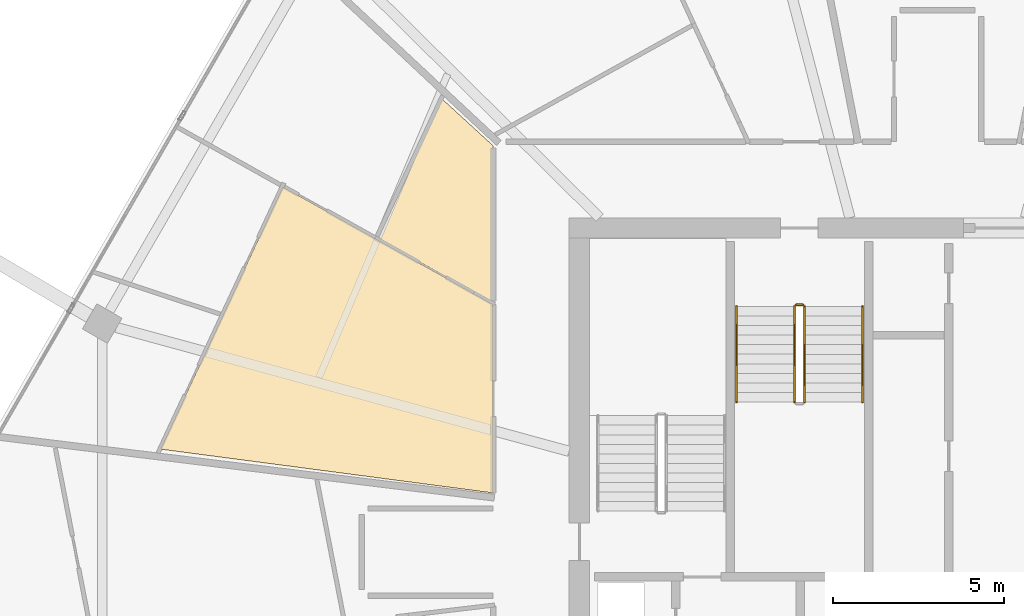
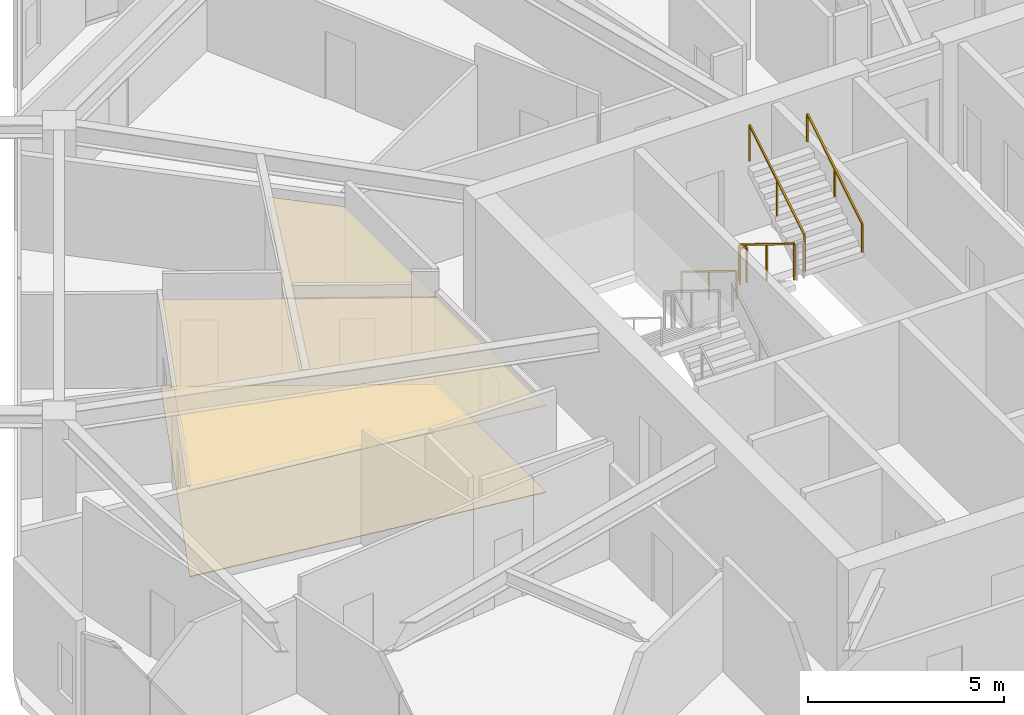
# One storey, part 26 of 27: 5 railings, 3 coverings.
"""IFC4 building model written with IfcOpenShell, lengths in metres."""

from ifc_helpers import new_model, si_unit, direction, frame, origin, origin_2d, place, context, subcontext, project, spatial, polyline, rectangle, outline, extrude, material, layer, layer_set, type_object, element, save


model = new_model("IFC4")

# Units and contexts
model_context = context("Model", 3, precision=1e-05, world=origin(), true_north=direction((0.0, 1.0)))
body_context = subcontext(model_context, "Body", "Model", "MODEL_VIEW")
ifc_project = project(units=[si_unit("LENGTHUNIT", "METRE"), si_unit("AREAUNIT", "SQUARE_METRE"), si_unit("VOLUMEUNIT", "CUBIC_METRE"), si_unit("PLANEANGLEUNIT", "RADIAN"), si_unit("MASSUNIT", "GRAM", prefix="KILO")], contexts=[model_context])

# Site, building, storey
site_placement = place(None, origin())
site = spatial("IfcSite", under=ifc_project, at=site_placement, CompositionType="ELEMENT")
building_placement = place(site_placement, origin())
building = spatial("IfcBuilding", under=site, at=building_placement, Name="Zuhravey Tower", CompositionType="ELEMENT")
storey_placement = place(building_placement, frame((0.0, 0.0, 265.39990234375)))
storey = spatial("IfcBuildingStorey", under=building, at=storey_placement, Name="L67", CompositionType="ELEMENT", Elevation=265.39990234375)

# Coverings
ifc_material_1 = material(Name="Mineral-fibre acoustic ceiling tile")
ifc_layer_1 = layer(ifc_material_1, 0.02490234375)
ifc_layer_set_1 = layer_set([ifc_layer_1], Name="Mineral-fibre acoustic ceiling tile")
covering_type_1 = type_object("IfcCoveringType", Name="Acoustic Suspended Ceiling", PredefinedType="CEILING", material=ifc_layer_set_1)
covering_1_placement = place(storey_placement, frame((0.0, 0.0, 2.690185546875)))
element("IfcCovering", 1, at=covering_1_placement, inside=storey, type_object=covering_type_1, Name="L67 Acoustic Suspended Ceiling CLG1", PredefinedType="CEILING", context=body_context, shape_type="SweptSolid", body=[
    extrude(outline(polyline([(13.2265625, 35.018310546875), (16.8095703125, 42.702392578125), (22.969970703125, 39.25927734375), (22.969970703125, 33.735595703125), (13.2265625, 35.018310546875)])), origin(), (0.0, 0.0, 1.0), 0.02490234375),
])
ifc_material_2 = material(Name="Porcelain tile finish")
ifc_layer_2 = layer(ifc_material_2, 0.02001953125)
ifc_layer_set_2 = layer_set([ifc_layer_2], Name="Porcelain tile finish")
covering_type_2 = type_object("IfcCoveringType", Name="Apartment Ondol Porcelain Flooring", PredefinedType="FLOORING", material=ifc_layer_set_2)
covering_2_placement = place(storey_placement, origin())
element("IfcCovering", 2, at=covering_2_placement, inside=storey, type_object=covering_type_2, Name="L67 Principal Room Acoustic Flooring", PredefinedType="FLOORING", context=body_context, shape_type="SweptSolid", body=[
    extrude(outline(polyline([(13.2265625, 35.018310546875), (16.8095703125, 42.702392578125), (22.969970703125, 39.25927734375), (22.969970703125, 33.735595703125), (13.2265625, 35.018310546875)])), origin(), (0.0, 0.0, 1.0), 0.02001953125),
])
ifc_material_3 = material(Name="Moisture-resistant gypsum ceiling board")
ifc_layer_3 = layer(ifc_material_3, 0.02001953125)
ifc_layer_set_3 = layer_set([ifc_layer_3], Name="Moisture-resistant gypsum ceiling board")
covering_type_3 = type_object("IfcCoveringType", Name="Moisture-Resistant Ceiling", PredefinedType="CEILING", material=ifc_layer_set_3)
covering_3_placement = place(storey_placement, frame((0.0, 0.0, 2.690185546875)))
element("IfcCovering", 3, at=covering_3_placement, inside=storey, type_object=covering_type_3, Name="L67 Wet-Room Ceiling CLG2", PredefinedType="CEILING", context=body_context, shape_type="SweptSolid", body=[
    extrude(outline(polyline([(22.978515625, 43.90478515625), (22.969970703125, 43.85009765625), (22.969970703125, 39.30517578125), (19.5693359375, 41.20556640625), (21.471923828125, 45.285400390625), (22.978515625, 43.90478515625)])), origin(), (0.0, 0.0, 1.0), 0.02001953125),
])

# Railings
ifc_material_4 = material(Name="Brushed stainless steel", Category="steel")
railing_type_1 = type_object("IfcRailingType", Name="Stair Wall Handrail 900", PredefinedType="HANDRAIL", material=ifc_material_4)
railing_1_placement = place(storey_placement, frame((30.10009765625, 39.199951171875, 0.1728515625)))
element("IfcRailing", 4, at=railing_1_placement, inside=storey, type_object=railing_type_1, Name="L67 ST3 stair handrail 1", PredefinedType="HANDRAIL", context=body_context, shape_type="SweptSolid", body=[
    extrude(rectangle(XDim=0.048095703125, YDim=0.048095703125, at=origin_2d()), frame((0.0, -0.001708984375, 0.876953125), z_axis=(0.0, -0.851089632645, 0.525020415988), x_axis=(1.0, 0.0, 0.0)), (0.0, 0.0, 1.0), 3.285888671875),
    extrude(rectangle(XDim=0.0419921875, YDim=0.0419921875, at=origin_2d()), origin(), (0.0, 0.0, 1.0), 0.849853515625),
    extrude(rectangle(XDim=0.0419921875, YDim=0.0419921875, at=origin_2d()), frame((0.0, -1.39990234375, 0.86376953125)), (0.0, 0.0, 1.0), 0.849853515625),
    extrude(rectangle(XDim=0.0419921875, YDim=0.0419921875, at=origin_2d()), frame((0.0, -2.800048828125, 1.727294921875)), (0.0, 0.0, 1.0), 0.849853515625),
])
railing_2_placement = place(storey_placement, frame((33.800048828125, 36.39990234375, 2.07275390625)))
element("IfcRailing", 5, at=railing_2_placement, inside=storey, type_object=railing_type_1, Name="L67 ST3 stair handrail 2", PredefinedType="HANDRAIL", context=body_context, shape_type="SweptSolid", body=[
    extrude(rectangle(XDim=0.048095703125, YDim=0.048095703125, at=origin_2d()), frame((0.0, 0.001708984375, 0.876953125), z_axis=(0.0, 0.851089632645, 0.525020415988), x_axis=(-1.0, 0.0, 0.0)), (0.0, 0.0, 1.0), 3.285888671875),
    extrude(rectangle(XDim=0.0419921875, YDim=0.0419921875, at=origin_2d()), origin(), (0.0, 0.0, 1.0), 0.849853515625),
    extrude(rectangle(XDim=0.0419921875, YDim=0.0419921875, at=origin_2d()), frame((0.0, 1.39990234375, 0.86376953125)), (0.0, 0.0, 1.0), 0.849853515625),
    extrude(rectangle(XDim=0.0419921875, YDim=0.0419921875, at=origin_2d()), frame((0.0, 2.800048828125, 1.727294921875)), (0.0, 0.0, 1.0), 0.849853515625),
])
ifc_material_5 = material(Name="Painted tubular steel", Category="steel")
railing_type_2 = type_object("IfcRailingType", Name="Stair Well Guardrail 1150", PredefinedType="GUARDRAIL", material=ifc_material_5)
railing_3_placement = place(storey_placement, frame((31.800048828125, 39.199951171875, 0.1728515625)))
element("IfcRailing", 6, at=railing_3_placement, inside=storey, type_object=railing_type_2, Name="L67 ST3 stair guard 1", PredefinedType="GUARDRAIL", context=body_context, shape_type="SweptSolid", body=[
    extrude(rectangle(XDim=0.048095703125, YDim=0.048095703125, at=origin_2d()), frame((0.0, -0.001708984375, 1.126953125), z_axis=(0.0, -0.851089632645, 0.525020415988), x_axis=(1.0, 0.0, 0.0)), (0.0, 0.0, 1.0), 3.285888671875),
    extrude(rectangle(XDim=0.0419921875, YDim=0.0419921875, at=origin_2d()), origin(), (0.0, 0.0, 1.0), 1.099853515625),
    extrude(rectangle(XDim=0.0419921875, YDim=0.0419921875, at=origin_2d()), frame((0.0, -1.39990234375, 0.86376953125)), (0.0, 0.0, 1.0), 1.099853515625),
    extrude(rectangle(XDim=0.0419921875, YDim=0.0419921875, at=origin_2d()), frame((0.0, -2.800048828125, 1.727294921875)), (0.0, 0.0, 1.0), 1.099853515625),
])
railing_4_placement = place(storey_placement, frame((32.10009765625, 36.39990234375, 2.07275390625)))
element("IfcRailing", 7, at=railing_4_placement, inside=storey, type_object=railing_type_2, Name="L67 ST3 stair guard 3", PredefinedType="GUARDRAIL", context=body_context, shape_type="SweptSolid", body=[
    extrude(rectangle(XDim=0.048095703125, YDim=0.048095703125, at=origin_2d()), frame((0.0, 0.001708984375, 1.126953125), z_axis=(0.0, 0.851089632645, 0.525020415988), x_axis=(-1.0, 0.0, 0.0)), (0.0, 0.0, 1.0), 3.285888671875),
    extrude(rectangle(XDim=0.0419921875, YDim=0.0419921875, at=origin_2d()), origin(), (0.0, 0.0, 1.0), 1.099853515625),
    extrude(rectangle(XDim=0.0419921875, YDim=0.0419921875, at=origin_2d()), frame((0.0, 1.39990234375, 0.86376953125)), (0.0, 0.0, 1.0), 1.099853515625),
    extrude(rectangle(XDim=0.0419921875, YDim=0.0419921875, at=origin_2d()), frame((0.0, 2.800048828125, 1.727294921875)), (0.0, 0.0, 1.0), 1.099853515625),
])
railing_5_placement = place(storey_placement, frame((31.85009765625, 39.25, 0.0)))
element("IfcRailing", 8, at=railing_5_placement, inside=storey, type_object=railing_type_2, Name="L67 ST3 stair guard 4", PredefinedType="GUARDRAIL", context=body_context, shape_type="SweptSolid", body=[
    extrude(rectangle(XDim=0.048095703125, YDim=0.048095703125, at=origin_2d()), frame((0.001953125, 0.0, 1.1259765625), z_axis=(1.0, 0.0, 0.0), x_axis=(0.0, 1.0, 0.0)), (0.0, 0.0, 1.0), 0.196044921875),
    extrude(rectangle(XDim=0.0419921875, YDim=0.0419921875, at=origin_2d()), origin(), (0.0, 0.0, 1.0), 1.099853515625),
    extrude(rectangle(XDim=0.0419921875, YDim=0.0419921875, at=origin_2d()), frame((0.199951171875, 0.0, 0.0)), (0.0, 0.0, 1.0), 1.099853515625),
])

save(model, "model.ifc")
